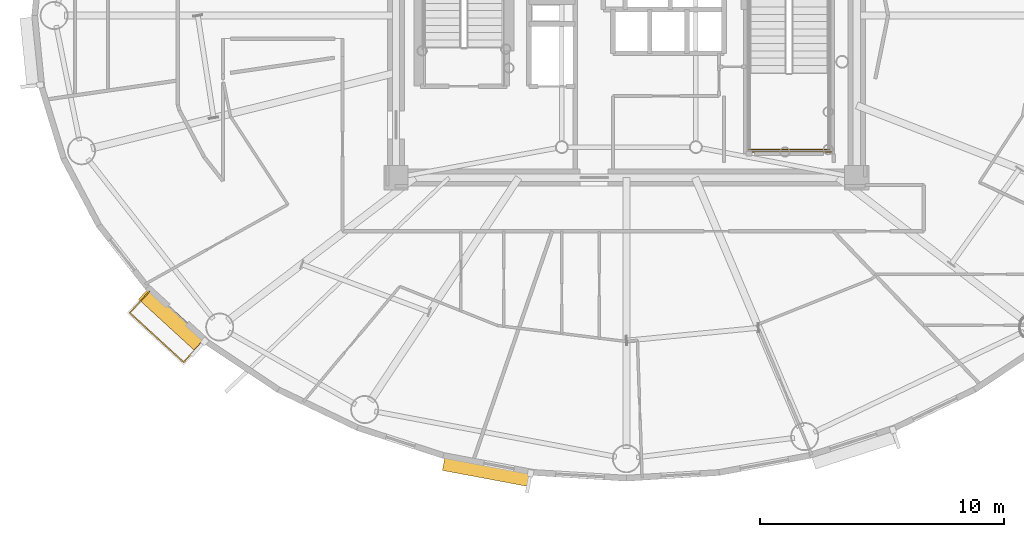
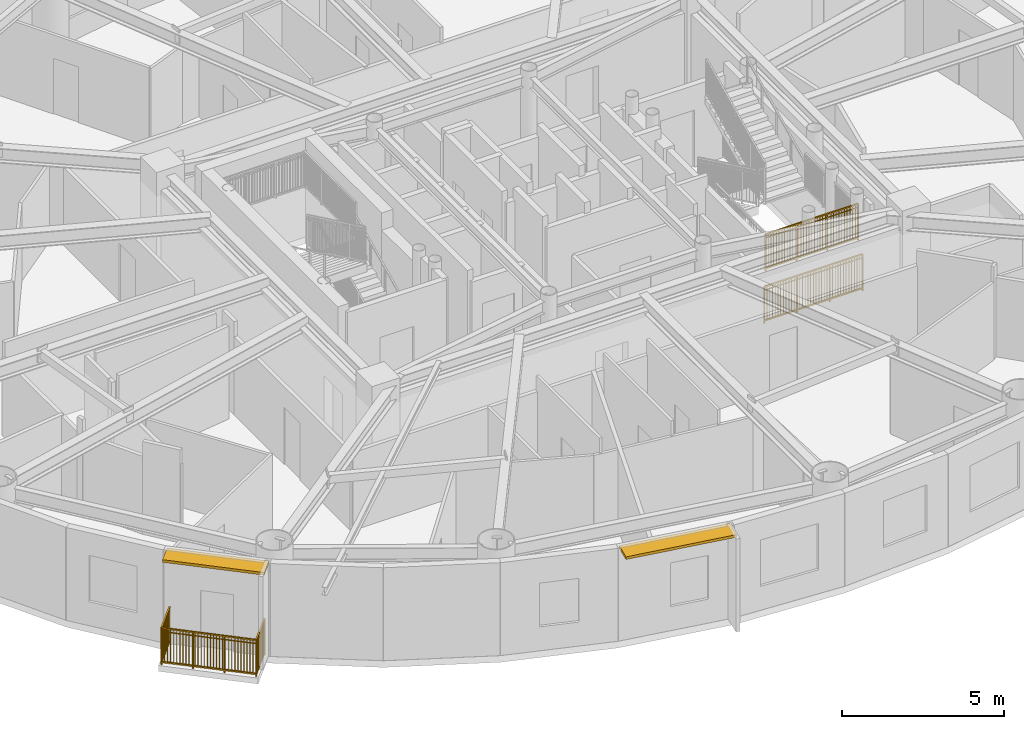
# One storey, part 14 of 20: 3 railings, 2 shading devices.
"""IFC4 building model written with IfcOpenShell, lengths in metres."""

from ifc_helpers import new_model, si_unit, direction, frame, origin, origin_2d, place, context, subcontext, project, spatial, rectangle, extrude, source, transform, mapped, material, layer, layer_set, type_object, element, save


model = new_model("IFC4")

# Units and contexts
model_context = context("Model", 3, precision=1e-05, world=origin(), true_north=direction((0.0, 1.0)))
body_context = subcontext(model_context, "Body", "Model", "MODEL_VIEW")
ifc_project = project(units=[si_unit("LENGTHUNIT", "METRE"), si_unit("AREAUNIT", "SQUARE_METRE"), si_unit("VOLUMEUNIT", "CUBIC_METRE"), si_unit("PLANEANGLEUNIT", "RADIAN"), si_unit("MASSUNIT", "GRAM", prefix="KILO")], contexts=[model_context])

# Site, building, storey
site_placement = place(None, origin())
site = spatial("IfcSite", under=ifc_project, at=site_placement, CompositionType="ELEMENT")
building_placement = place(site_placement, origin())
building = spatial("IfcBuilding", under=site, at=building_placement, Name="Linh Dai School and Residence Tower", CompositionType="ELEMENT")
storey_placement = place(building_placement, frame((0.0, 0.0, 232.800048828125)))
storey = spatial("IfcBuildingStorey", under=building, at=storey_placement, Name="L57", CompositionType="ELEMENT", Elevation=232.800048828125)

# Shading devices
ifc_material_1 = material(Name="Terracotta Ceramic Sunshade", Category="masonry")
ifc_layer = layer(ifc_material_1, 0.10009765625)
ifc_layer_set = layer_set([ifc_layer], Name="Terracotta Ceramic Sunshade")
shading_device_type = type_object("IfcShadingDeviceType", Name="SHD-TC-650", PredefinedType="USERDEFINED", material=ifc_layer_set)
shared_shape_1 = source(origin(), body_context, "Body", "SweptSolid", [
    extrude(rectangle(XDim=3.219482421875, YDim=0.64990234375, at=origin_2d()), origin(), (0.0, 0.0, 1.0), 0.10009765625),
])
shading_device_1_placement = place(storey_placement, frame((17.39501953125, 14.51220703125, 3.3798828125), z_axis=(0.0, 0.0, 1.0), x_axis=(-0.737125300096, 0.675756089102, 0.0)))
element("IfcShadingDevice", 1, at=shading_device_1_placement, inside=storey, type_object=shading_device_type, Name="L57 Terracotta Horizontal Sunshade Band 25", ObjectType="SUNSHADE", PredefinedType="USERDEFINED", context=body_context, shape_type="MappedRepresentation", body=[
    mapped(shared_shape_1, transform((0.0, 0.0, 0.0), x_axis=(1.0, 0.0, 0.0), y_axis=(0.0, 1.0, 0.0), z_axis=(0.0, 0.0, 1.0), scale=1.0)),
])
shared_shape_2 = source(origin(), body_context, "Body", "SweptSolid", [
    extrude(rectangle(XDim=3.62158203125, YDim=0.64990234375, at=origin_2d()), origin(), (0.0, 0.0, 1.0), 0.10009765625),
])
shading_device_2_placement = place(storey_placement, frame((30.2919921875, 8.32275390625, 3.3798828125), z_axis=(0.0, 0.0, 1.0), x_axis=(-0.982786586765, 0.18474448537, 0.0)))
element("IfcShadingDevice", 2, at=shading_device_2_placement, inside=storey, type_object=shading_device_type, Name="L57 Terracotta Horizontal Sunshade Band 29", ObjectType="SUNSHADE", PredefinedType="USERDEFINED", context=body_context, shape_type="MappedRepresentation", body=[
    mapped(shared_shape_2, transform((0.0, 0.0, 0.0), x_axis=(1.0, 0.0, 0.0), y_axis=(0.0, 1.0, 0.0), z_axis=(0.0, 0.0, 1.0), scale=1.0)),
])

# Railings
ifc_material_2 = material(Name="Structural Steel S355JR", Category="steel")
railing_type_1 = type_object("IfcRailingType", Name="RL-BAL-1400", PredefinedType="BALUSTRADE", material=ifc_material_2)
shared_shape_3 = source(origin(), body_context, "Body", "SweptSolid", [
    extrude(rectangle(XDim=0.048095703125, YDim=0.048095703125, at=origin_2d()), frame((0.0, 0.0, 1.3759765625), z_axis=(-0.675715259685, -0.737162728187, 0.0), x_axis=(0.737162728187, -0.675715259685, 0.0)), (0.0, 0.0, 1.0), 1.179931640625),
    extrude(rectangle(XDim=0.048095703125, YDim=0.048095703125, at=origin_2d()), frame((0.0, 0.0, 0.10009765625), z_axis=(-0.675715259685, -0.737162728187, 0.0), x_axis=(0.737162728187, -0.675715259685, 0.0)), (0.0, 0.0, 1.0), 1.179931640625),
    extrude(rectangle(XDim=0.030029296875, YDim=0.030029296875, at=origin_2d()), frame((0.0, 0.0, 1.239990234375), z_axis=(-0.675715259685, -0.737162728187, 0.0), x_axis=(0.737162728187, -0.675715259685, 0.0)), (0.0, 0.0, 1.0), 1.179931640625),
    extrude(rectangle(XDim=0.02001953125, YDim=0.02001953125, at=origin_2d()), frame((-0.061279296875, -0.06689453125, 0.10009765625)), (0.0, 0.0, 1.0), 1.251708984375),
    extrude(rectangle(XDim=0.02001953125, YDim=0.02001953125, at=origin_2d()), frame((-0.12255859375, -0.1337890625, 0.10009765625)), (0.0, 0.0, 1.0), 1.251708984375),
    extrude(rectangle(XDim=0.02001953125, YDim=0.02001953125, at=origin_2d()), frame((-0.18408203125, -0.20068359375, 0.10009765625)), (0.0, 0.0, 1.0), 1.251708984375),
    extrude(rectangle(XDim=0.02001953125, YDim=0.02001953125, at=origin_2d()), frame((-0.245361328125, -0.267578125, 0.10009765625)), (0.0, 0.0, 1.0), 1.251708984375),
    extrude(rectangle(XDim=0.02001953125, YDim=0.02001953125, at=origin_2d()), frame((-0.306640625, -0.33447265625, 0.10009765625)), (0.0, 0.0, 1.0), 1.251708984375),
    extrude(rectangle(XDim=0.02001953125, YDim=0.02001953125, at=origin_2d()), frame((-0.367919921875, -0.4013671875, 0.10009765625)), (0.0, 0.0, 1.0), 1.251708984375),
    extrude(rectangle(XDim=0.02001953125, YDim=0.02001953125, at=origin_2d()), frame((-0.429443359375, -0.468505859375, 0.10009765625)), (0.0, 0.0, 1.0), 1.251708984375),
    extrude(rectangle(XDim=0.02001953125, YDim=0.02001953125, at=origin_2d()), frame((-0.49072265625, -0.535400390625, 0.10009765625)), (0.0, 0.0, 1.0), 1.251708984375),
    extrude(rectangle(XDim=0.02001953125, YDim=0.02001953125, at=origin_2d()), frame((-0.552001953125, -0.602294921875, 0.10009765625)), (0.0, 0.0, 1.0), 1.251708984375),
    extrude(rectangle(XDim=0.02001953125, YDim=0.02001953125, at=origin_2d()), frame((-0.61328125, -0.669189453125, 0.10009765625)), (0.0, 0.0, 1.0), 1.251708984375),
    extrude(rectangle(XDim=0.02001953125, YDim=0.02001953125, at=origin_2d()), frame((-0.6748046875, -0.736083984375, 0.10009765625)), (0.0, 0.0, 1.0), 1.251708984375),
    extrude(rectangle(XDim=0.02001953125, YDim=0.02001953125, at=origin_2d()), frame((-0.736083984375, -0.802978515625, 0.10009765625)), (0.0, 0.0, 1.0), 1.251708984375),
    extrude(rectangle(XDim=0.048095703125, YDim=0.048095703125, at=origin_2d()), frame((-0.79736328125, -0.869873046875, 1.3759765625), z_axis=(-0.737143984648, 0.675735707135, 0.0), x_axis=(-0.675735707135, -0.737143984648, 0.0)), (0.0, 0.0, 1.0), 2.99365234375),
    extrude(rectangle(XDim=0.048095703125, YDim=0.048095703125, at=origin_2d()), frame((-0.79736328125, -0.869873046875, 0.10009765625), z_axis=(-0.737143984648, 0.675735707135, 0.0), x_axis=(-0.675735707135, -0.737143984648, 0.0)), (0.0, 0.0, 1.0), 2.99365234375),
    extrude(rectangle(XDim=0.030029296875, YDim=0.030029296875, at=origin_2d()), frame((-0.79736328125, -0.869873046875, 1.239990234375), z_axis=(-0.737143984648, 0.675735707135, 0.0), x_axis=(-0.675735707135, -0.737143984648, 0.0)), (0.0, 0.0, 1.0), 2.99365234375),
    extrude(rectangle(XDim=0.02001953125, YDim=0.02001953125, at=origin_2d()), frame((-0.86865234375, -0.8046875, 0.10009765625)), (0.0, 0.0, 1.0), 1.251708984375),
    extrude(rectangle(XDim=0.02001953125, YDim=0.02001953125, at=origin_2d()), frame((-0.939697265625, -0.7392578125, 0.10009765625)), (0.0, 0.0, 1.0), 1.251708984375),
    extrude(rectangle(XDim=0.02001953125, YDim=0.02001953125, at=origin_2d()), frame((-1.010986328125, -0.674072265625, 0.10009765625)), (0.0, 0.0, 1.0), 1.251708984375),
    extrude(rectangle(XDim=0.02001953125, YDim=0.02001953125, at=origin_2d()), frame((-1.08203125, -0.60888671875, 0.10009765625)), (0.0, 0.0, 1.0), 1.251708984375),
    extrude(rectangle(XDim=0.02001953125, YDim=0.02001953125, at=origin_2d()), frame((-1.1533203125, -0.543701171875, 0.10009765625)), (0.0, 0.0, 1.0), 1.251708984375),
    extrude(rectangle(XDim=0.02001953125, YDim=0.02001953125, at=origin_2d()), frame((-1.224365234375, -0.478271484375, 0.10009765625)), (0.0, 0.0, 1.0), 1.251708984375),
    extrude(rectangle(XDim=0.02001953125, YDim=0.02001953125, at=origin_2d()), frame((-1.295654296875, -0.4130859375, 0.10009765625)), (0.0, 0.0, 1.0), 1.251708984375),
    extrude(rectangle(XDim=0.02001953125, YDim=0.02001953125, at=origin_2d()), frame((-1.366943359375, -0.347900390625, 0.10009765625)), (0.0, 0.0, 1.0), 1.251708984375),
    extrude(rectangle(XDim=0.02001953125, YDim=0.02001953125, at=origin_2d()), frame((-1.43798828125, -0.282470703125, 0.10009765625)), (0.0, 0.0, 1.0), 1.251708984375),
    extrude(rectangle(XDim=0.02001953125, YDim=0.02001953125, at=origin_2d()), frame((-1.580322265625, -0.152099609375, 0.10009765625)), (0.0, 0.0, 1.0), 1.251708984375),
    extrude(rectangle(XDim=0.02001953125, YDim=0.02001953125, at=origin_2d()), frame((-1.651611328125, -0.0869140625, 0.10009765625)), (0.0, 0.0, 1.0), 1.251708984375),
    extrude(rectangle(XDim=0.02001953125, YDim=0.02001953125, at=origin_2d()), frame((-1.722900390625, -0.021484375, 0.10009765625)), (0.0, 0.0, 1.0), 1.251708984375),
    extrude(rectangle(XDim=0.02001953125, YDim=0.02001953125, at=origin_2d()), frame((-1.7939453125, 0.043701171875, 0.10009765625)), (0.0, 0.0, 1.0), 1.251708984375),
    extrude(rectangle(XDim=0.02001953125, YDim=0.02001953125, at=origin_2d()), frame((-1.865234375, 0.10888671875, 0.10009765625)), (0.0, 0.0, 1.0), 1.251708984375),
    extrude(rectangle(XDim=0.02001953125, YDim=0.02001953125, at=origin_2d()), frame((-1.936279296875, 0.17431640625, 0.10009765625)), (0.0, 0.0, 1.0), 1.251708984375),
    extrude(rectangle(XDim=0.02001953125, YDim=0.02001953125, at=origin_2d()), frame((-2.007568359375, 0.239501953125, 0.10009765625)), (0.0, 0.0, 1.0), 1.251708984375),
    extrude(rectangle(XDim=0.02001953125, YDim=0.02001953125, at=origin_2d()), frame((-2.07861328125, 0.3046875, 0.10009765625)), (0.0, 0.0, 1.0), 1.251708984375),
    extrude(rectangle(XDim=0.02001953125, YDim=0.02001953125, at=origin_2d()), frame((-2.14990234375, 0.3701171875, 0.10009765625)), (0.0, 0.0, 1.0), 1.251708984375),
    extrude(rectangle(XDim=0.02001953125, YDim=0.02001953125, at=origin_2d()), frame((-2.22119140625, 0.435302734375, 0.10009765625)), (0.0, 0.0, 1.0), 1.251708984375),
    extrude(rectangle(XDim=0.02001953125, YDim=0.02001953125, at=origin_2d()), frame((-2.363525390625, 0.565673828125, 0.10009765625)), (0.0, 0.0, 1.0), 1.251708984375),
    extrude(rectangle(XDim=0.02001953125, YDim=0.02001953125, at=origin_2d()), frame((-2.4345703125, 0.631103515625, 0.10009765625)), (0.0, 0.0, 1.0), 1.251708984375),
    extrude(rectangle(XDim=0.02001953125, YDim=0.02001953125, at=origin_2d()), frame((-2.505859375, 0.6962890625, 0.10009765625)), (0.0, 0.0, 1.0), 1.251708984375),
    extrude(rectangle(XDim=0.02001953125, YDim=0.02001953125, at=origin_2d()), frame((-2.5771484375, 0.761474609375, 0.10009765625)), (0.0, 0.0, 1.0), 1.251708984375),
    extrude(rectangle(XDim=0.02001953125, YDim=0.02001953125, at=origin_2d()), frame((-2.648193359375, 0.826904296875, 0.10009765625)), (0.0, 0.0, 1.0), 1.251708984375),
    extrude(rectangle(XDim=0.02001953125, YDim=0.02001953125, at=origin_2d()), frame((-2.719482421875, 0.89208984375, 0.10009765625)), (0.0, 0.0, 1.0), 1.251708984375),
    extrude(rectangle(XDim=0.02001953125, YDim=0.02001953125, at=origin_2d()), frame((-2.79052734375, 0.957275390625, 0.10009765625)), (0.0, 0.0, 1.0), 1.251708984375),
    extrude(rectangle(XDim=0.02001953125, YDim=0.02001953125, at=origin_2d()), frame((-2.86181640625, 1.0224609375, 0.10009765625)), (0.0, 0.0, 1.0), 1.251708984375),
    extrude(rectangle(XDim=0.02001953125, YDim=0.02001953125, at=origin_2d()), frame((-2.932861328125, 1.087890625, 0.10009765625)), (0.0, 0.0, 1.0), 1.251708984375),
    extrude(rectangle(XDim=0.048095703125, YDim=0.048095703125, at=origin_2d()), frame((-3.004150390625, 1.153076171875, 1.3759765625), z_axis=(0.675715259685, 0.737162728187, 0.0), x_axis=(-0.737162728187, 0.675715259685, 0.0)), (0.0, 0.0, 1.0), 1.179931640625),
    extrude(rectangle(XDim=0.048095703125, YDim=0.048095703125, at=origin_2d()), frame((-3.004150390625, 1.153076171875, 0.10009765625), z_axis=(0.675715259685, 0.737162728187, 0.0), x_axis=(-0.737162728187, 0.675715259685, 0.0)), (0.0, 0.0, 1.0), 1.179931640625),
    extrude(rectangle(XDim=0.030029296875, YDim=0.030029296875, at=origin_2d()), frame((-3.004150390625, 1.153076171875, 1.239990234375), z_axis=(0.675715259685, 0.737162728187, 0.0), x_axis=(-0.737162728187, 0.675715259685, 0.0)), (0.0, 0.0, 1.0), 1.179931640625),
    extrude(rectangle(XDim=0.02001953125, YDim=0.02001953125, at=origin_2d()), frame((-2.94287109375, 1.219970703125, 0.10009765625)), (0.0, 0.0, 1.0), 1.251708984375),
    extrude(rectangle(XDim=0.02001953125, YDim=0.02001953125, at=origin_2d()), frame((-2.881591796875, 1.286865234375, 0.10009765625)), (0.0, 0.0, 1.0), 1.251708984375),
    extrude(rectangle(XDim=0.02001953125, YDim=0.02001953125, at=origin_2d()), frame((-2.820068359375, 1.353759765625, 0.10009765625)), (0.0, 0.0, 1.0), 1.251708984375),
    extrude(rectangle(XDim=0.02001953125, YDim=0.02001953125, at=origin_2d()), frame((-2.7587890625, 1.420654296875, 0.10009765625)), (0.0, 0.0, 1.0), 1.251708984375),
    extrude(rectangle(XDim=0.02001953125, YDim=0.02001953125, at=origin_2d()), frame((-2.697509765625, 1.487548828125, 0.10009765625)), (0.0, 0.0, 1.0), 1.251708984375),
    extrude(rectangle(XDim=0.02001953125, YDim=0.02001953125, at=origin_2d()), frame((-2.63623046875, 1.554443359375, 0.10009765625)), (0.0, 0.0, 1.0), 1.251708984375),
    extrude(rectangle(XDim=0.02001953125, YDim=0.02001953125, at=origin_2d()), frame((-2.57470703125, 1.62158203125, 0.10009765625)), (0.0, 0.0, 1.0), 1.251708984375),
    extrude(rectangle(XDim=0.02001953125, YDim=0.02001953125, at=origin_2d()), frame((-2.513427734375, 1.6884765625, 0.10009765625)), (0.0, 0.0, 1.0), 1.251708984375),
    extrude(rectangle(XDim=0.02001953125, YDim=0.02001953125, at=origin_2d()), frame((-2.4521484375, 1.75537109375, 0.10009765625)), (0.0, 0.0, 1.0), 1.251708984375),
    extrude(rectangle(XDim=0.02001953125, YDim=0.02001953125, at=origin_2d()), frame((-2.390869140625, 1.822265625, 0.10009765625)), (0.0, 0.0, 1.0), 1.251708984375),
    extrude(rectangle(XDim=0.02001953125, YDim=0.02001953125, at=origin_2d()), frame((-2.329345703125, 1.88916015625, 0.10009765625)), (0.0, 0.0, 1.0), 1.251708984375),
    extrude(rectangle(XDim=0.02001953125, YDim=0.02001953125, at=origin_2d()), frame((-2.26806640625, 1.9560546875, 0.10009765625)), (0.0, 0.0, 1.0), 1.251708984375),
    extrude(rectangle(XDim=0.0419921875, YDim=0.0419921875, at=origin_2d()), origin(), (0.0, 0.0, 1.0), 1.3759765625),
    extrude(rectangle(XDim=0.0419921875, YDim=0.0419921875, at=origin_2d()), frame((-0.79736328125, -0.869873046875, 0.0)), (0.0, 0.0, 1.0), 1.3759765625),
    extrude(rectangle(XDim=0.0419921875, YDim=0.0419921875, at=origin_2d()), frame((-1.532958984375, -0.195556640625, 0.0)), (0.0, 0.0, 1.0), 1.3759765625),
    extrude(rectangle(XDim=0.0419921875, YDim=0.0419921875, at=origin_2d()), frame((-2.2685546875, 0.478759765625, 0.0)), (0.0, 0.0, 1.0), 1.3759765625),
    extrude(rectangle(XDim=0.0419921875, YDim=0.0419921875, at=origin_2d()), frame((-3.004150390625, 1.153076171875, 0.0)), (0.0, 0.0, 1.0), 1.3759765625),
    extrude(rectangle(XDim=0.0419921875, YDim=0.0419921875, at=origin_2d()), frame((-2.206787109375, 2.02294921875, 0.0)), (0.0, 0.0, 1.0), 1.3759765625),
])
railing_1_placement = place(storey_placement, frame((18.633544921875, 13.648193359375, 0.0)))
element("IfcRailing", 3, at=railing_1_placement, inside=storey, type_object=railing_type_1, Name="L57 Balcony Safety Balustrade 25", PredefinedType="BALUSTRADE", context=body_context, shape_type="MappedRepresentation", body=[
    mapped(shared_shape_3, transform((0.0, 0.0, 0.0), x_axis=(1.0, 0.0, 0.0), y_axis=(0.0, 1.0, 0.0), z_axis=(0.0, 0.0, 1.0), scale=1.0)),
])
railing_type_2 = type_object("IfcRailingType", Name="RL-ST-GUARD-1400", PredefinedType="GUARDRAIL", material=ifc_material_2)
shared_shape_4 = source(origin(), body_context, "Body", "SweptSolid", [
    extrude(rectangle(XDim=0.048095703125, YDim=0.048095703125, at=origin_2d()), frame((0.0, 0.0, 1.3759765625), z_axis=(1.0, 0.0, 0.0), x_axis=(0.0, 1.0, 0.0)), (0.0, 0.0, 1.0), 3.300048828125),
    extrude(rectangle(XDim=0.048095703125, YDim=0.048095703125, at=origin_2d()), frame((0.0, 0.0, 0.10009765625), z_axis=(1.0, 0.0, 0.0), x_axis=(0.0, 1.0, 0.0)), (0.0, 0.0, 1.0), 3.300048828125),
    extrude(rectangle(XDim=0.030029296875, YDim=0.030029296875, at=origin_2d()), frame((0.0, 0.0, 1.239990234375), z_axis=(1.0, 0.0, 0.0), x_axis=(0.0, 1.0, 0.0)), (0.0, 0.0, 1.0), 3.300048828125),
    extrude(rectangle(XDim=0.02001953125, YDim=0.02001953125, at=origin_2d()), frame((0.09716796875, 0.0, 0.10009765625)), (0.0, 0.0, 1.0), 1.251708984375),
    extrude(rectangle(XDim=0.02001953125, YDim=0.02001953125, at=origin_2d()), frame((0.194091796875, 0.0, 0.10009765625)), (0.0, 0.0, 1.0), 1.251708984375),
    extrude(rectangle(XDim=0.02001953125, YDim=0.02001953125, at=origin_2d()), frame((0.291259765625, 0.0, 0.10009765625)), (0.0, 0.0, 1.0), 1.251708984375),
    extrude(rectangle(XDim=0.02001953125, YDim=0.02001953125, at=origin_2d()), frame((0.38818359375, 0.0, 0.10009765625)), (0.0, 0.0, 1.0), 1.251708984375),
    extrude(rectangle(XDim=0.02001953125, YDim=0.02001953125, at=origin_2d()), frame((0.4853515625, 0.0, 0.10009765625)), (0.0, 0.0, 1.0), 1.251708984375),
    extrude(rectangle(XDim=0.02001953125, YDim=0.02001953125, at=origin_2d()), frame((0.582275390625, 0.0, 0.10009765625)), (0.0, 0.0, 1.0), 1.251708984375),
    extrude(rectangle(XDim=0.02001953125, YDim=0.02001953125, at=origin_2d()), frame((0.679443359375, 0.0, 0.10009765625)), (0.0, 0.0, 1.0), 1.251708984375),
    extrude(rectangle(XDim=0.02001953125, YDim=0.02001953125, at=origin_2d()), frame((0.7763671875, 0.0, 0.10009765625)), (0.0, 0.0, 1.0), 1.251708984375),
    extrude(rectangle(XDim=0.02001953125, YDim=0.02001953125, at=origin_2d()), frame((0.87353515625, 0.0, 0.10009765625)), (0.0, 0.0, 1.0), 1.251708984375),
    extrude(rectangle(XDim=0.02001953125, YDim=0.02001953125, at=origin_2d()), frame((0.970703125, 0.0, 0.10009765625)), (0.0, 0.0, 1.0), 1.251708984375),
    extrude(rectangle(XDim=0.02001953125, YDim=0.02001953125, at=origin_2d()), frame((1.164794921875, 0.0, 0.10009765625)), (0.0, 0.0, 1.0), 1.251708984375),
    extrude(rectangle(XDim=0.02001953125, YDim=0.02001953125, at=origin_2d()), frame((1.26171875, 0.0, 0.10009765625)), (0.0, 0.0, 1.0), 1.251708984375),
    extrude(rectangle(XDim=0.02001953125, YDim=0.02001953125, at=origin_2d()), frame((1.35888671875, 0.0, 0.10009765625)), (0.0, 0.0, 1.0), 1.251708984375),
    extrude(rectangle(XDim=0.02001953125, YDim=0.02001953125, at=origin_2d()), frame((1.455810546875, 0.0, 0.10009765625)), (0.0, 0.0, 1.0), 1.251708984375),
    extrude(rectangle(XDim=0.02001953125, YDim=0.02001953125, at=origin_2d()), frame((1.552978515625, 0.0, 0.10009765625)), (0.0, 0.0, 1.0), 1.251708984375),
    extrude(rectangle(XDim=0.02001953125, YDim=0.02001953125, at=origin_2d()), frame((1.64990234375, 0.0, 0.10009765625)), (0.0, 0.0, 1.0), 1.251708984375),
    extrude(rectangle(XDim=0.02001953125, YDim=0.02001953125, at=origin_2d()), frame((1.7470703125, 0.0, 0.10009765625)), (0.0, 0.0, 1.0), 1.251708984375),
    extrude(rectangle(XDim=0.02001953125, YDim=0.02001953125, at=origin_2d()), frame((1.84423828125, 0.0, 0.10009765625)), (0.0, 0.0, 1.0), 1.251708984375),
    extrude(rectangle(XDim=0.02001953125, YDim=0.02001953125, at=origin_2d()), frame((1.941162109375, 0.0, 0.10009765625)), (0.0, 0.0, 1.0), 1.251708984375),
    extrude(rectangle(XDim=0.02001953125, YDim=0.02001953125, at=origin_2d()), frame((2.038330078125, 0.0, 0.10009765625)), (0.0, 0.0, 1.0), 1.251708984375),
    extrude(rectangle(XDim=0.02001953125, YDim=0.02001953125, at=origin_2d()), frame((2.13525390625, 0.0, 0.10009765625)), (0.0, 0.0, 1.0), 1.251708984375),
    extrude(rectangle(XDim=0.02001953125, YDim=0.02001953125, at=origin_2d()), frame((2.329345703125, 0.0, 0.10009765625)), (0.0, 0.0, 1.0), 1.251708984375),
    extrude(rectangle(XDim=0.02001953125, YDim=0.02001953125, at=origin_2d()), frame((2.426513671875, 0.0, 0.10009765625)), (0.0, 0.0, 1.0), 1.251708984375),
    extrude(rectangle(XDim=0.02001953125, YDim=0.02001953125, at=origin_2d()), frame((2.523681640625, 0.0, 0.10009765625)), (0.0, 0.0, 1.0), 1.251708984375),
    extrude(rectangle(XDim=0.02001953125, YDim=0.02001953125, at=origin_2d()), frame((2.62060546875, 0.0, 0.10009765625)), (0.0, 0.0, 1.0), 1.251708984375),
    extrude(rectangle(XDim=0.02001953125, YDim=0.02001953125, at=origin_2d()), frame((2.7177734375, 0.0, 0.10009765625)), (0.0, 0.0, 1.0), 1.251708984375),
    extrude(rectangle(XDim=0.02001953125, YDim=0.02001953125, at=origin_2d()), frame((2.814697265625, 0.0, 0.10009765625)), (0.0, 0.0, 1.0), 1.251708984375),
    extrude(rectangle(XDim=0.02001953125, YDim=0.02001953125, at=origin_2d()), frame((2.911865234375, 0.0, 0.10009765625)), (0.0, 0.0, 1.0), 1.251708984375),
    extrude(rectangle(XDim=0.02001953125, YDim=0.02001953125, at=origin_2d()), frame((3.0087890625, 0.0, 0.10009765625)), (0.0, 0.0, 1.0), 1.251708984375),
    extrude(rectangle(XDim=0.02001953125, YDim=0.02001953125, at=origin_2d()), frame((3.10595703125, 0.0, 0.10009765625)), (0.0, 0.0, 1.0), 1.251708984375),
    extrude(rectangle(XDim=0.02001953125, YDim=0.02001953125, at=origin_2d()), frame((3.202880859375, 0.0, 0.10009765625)), (0.0, 0.0, 1.0), 1.251708984375),
    extrude(rectangle(XDim=0.0419921875, YDim=0.0419921875, at=origin_2d()), origin(), (0.0, 0.0, 1.0), 1.3759765625),
    extrude(rectangle(XDim=0.0419921875, YDim=0.0419921875, at=origin_2d()), frame((1.10009765625, 0.0, 0.0)), (0.0, 0.0, 1.0), 1.3759765625),
    extrude(rectangle(XDim=0.0419921875, YDim=0.0419921875, at=origin_2d()), frame((2.199951171875, 0.0, 0.0)), (0.0, 0.0, 1.0), 1.3759765625),
    extrude(rectangle(XDim=0.0419921875, YDim=0.0419921875, at=origin_2d()), frame((3.300048828125, 0.0, 0.0)), (0.0, 0.0, 1.0), 1.3759765625),
])
railing_2_placement = place(storey_placement, frame((41.02001953125, 21.5, 1.875)))
element("IfcRailing", 4, at=railing_2_placement, inside=storey, type_object=railing_type_2, Name="L57 ST2 stair guard 5", PredefinedType="GUARDRAIL", context=body_context, shape_type="MappedRepresentation", body=[
    mapped(shared_shape_4, transform((0.0, 0.0, 0.0), x_axis=(1.0, 0.0, 0.0), y_axis=(0.0, 1.0, 0.0), z_axis=(0.0, 0.0, 1.0), scale=1.0)),
])
shared_shape_5 = source(origin(), body_context, "Body", "SweptSolid", [
    extrude(rectangle(XDim=0.048095703125, YDim=0.048095703125, at=origin_2d()), frame((0.0, 0.0, 1.3759765625), z_axis=(1.0, 0.0, 0.0), x_axis=(0.0, 1.0, 0.0)), (0.0, 0.0, 1.0), 3.5),
    extrude(rectangle(XDim=0.048095703125, YDim=0.048095703125, at=origin_2d()), frame((0.0, 0.0, 0.10009765625), z_axis=(1.0, 0.0, 0.0), x_axis=(0.0, 1.0, 0.0)), (0.0, 0.0, 1.0), 3.5),
    extrude(rectangle(XDim=0.030029296875, YDim=0.030029296875, at=origin_2d()), frame((0.0, 0.0, 1.239990234375), z_axis=(1.0, 0.0, 0.0), x_axis=(0.0, 1.0, 0.0)), (0.0, 0.0, 1.0), 3.5),
    extrude(rectangle(XDim=0.02001953125, YDim=0.02001953125, at=origin_2d()), frame((0.09716796875, 0.0, 0.10009765625)), (0.0, 0.0, 1.0), 1.251708984375),
    extrude(rectangle(XDim=0.02001953125, YDim=0.02001953125, at=origin_2d()), frame((0.1943359375, 0.0, 0.10009765625)), (0.0, 0.0, 1.0), 1.251708984375),
    extrude(rectangle(XDim=0.02001953125, YDim=0.02001953125, at=origin_2d()), frame((0.291748046875, 0.0, 0.10009765625)), (0.0, 0.0, 1.0), 1.251708984375),
    extrude(rectangle(XDim=0.02001953125, YDim=0.02001953125, at=origin_2d()), frame((0.388916015625, 0.0, 0.10009765625)), (0.0, 0.0, 1.0), 1.251708984375),
    extrude(rectangle(XDim=0.02001953125, YDim=0.02001953125, at=origin_2d()), frame((0.486083984375, 0.0, 0.10009765625)), (0.0, 0.0, 1.0), 1.251708984375),
    extrude(rectangle(XDim=0.02001953125, YDim=0.02001953125, at=origin_2d()), frame((0.583251953125, 0.0, 0.10009765625)), (0.0, 0.0, 1.0), 1.251708984375),
    extrude(rectangle(XDim=0.02001953125, YDim=0.02001953125, at=origin_2d()), frame((0.6806640625, 0.0, 0.10009765625)), (0.0, 0.0, 1.0), 1.251708984375),
    extrude(rectangle(XDim=0.02001953125, YDim=0.02001953125, at=origin_2d()), frame((0.77783203125, 0.0, 0.10009765625)), (0.0, 0.0, 1.0), 1.251708984375),
    extrude(rectangle(XDim=0.02001953125, YDim=0.02001953125, at=origin_2d()), frame((0.875, 0.0, 0.10009765625)), (0.0, 0.0, 1.0), 1.251708984375),
    extrude(rectangle(XDim=0.02001953125, YDim=0.02001953125, at=origin_2d()), frame((0.97216796875, 0.0, 0.10009765625)), (0.0, 0.0, 1.0), 1.251708984375),
    extrude(rectangle(XDim=0.02001953125, YDim=0.02001953125, at=origin_2d()), frame((1.0693359375, 0.0, 0.10009765625)), (0.0, 0.0, 1.0), 1.251708984375),
    extrude(rectangle(XDim=0.02001953125, YDim=0.02001953125, at=origin_2d()), frame((1.263916015625, 0.0, 0.10009765625)), (0.0, 0.0, 1.0), 1.251708984375),
    extrude(rectangle(XDim=0.02001953125, YDim=0.02001953125, at=origin_2d()), frame((1.361083984375, 0.0, 0.10009765625)), (0.0, 0.0, 1.0), 1.251708984375),
    extrude(rectangle(XDim=0.02001953125, YDim=0.02001953125, at=origin_2d()), frame((1.458251953125, 0.0, 0.10009765625)), (0.0, 0.0, 1.0), 1.251708984375),
    extrude(rectangle(XDim=0.02001953125, YDim=0.02001953125, at=origin_2d()), frame((1.5556640625, 0.0, 0.10009765625)), (0.0, 0.0, 1.0), 1.251708984375),
    extrude(rectangle(XDim=0.02001953125, YDim=0.02001953125, at=origin_2d()), frame((1.65283203125, 0.0, 0.10009765625)), (0.0, 0.0, 1.0), 1.251708984375),
    extrude(rectangle(XDim=0.02001953125, YDim=0.02001953125, at=origin_2d()), frame((1.75, 0.0, 0.10009765625)), (0.0, 0.0, 1.0), 1.251708984375),
    extrude(rectangle(XDim=0.02001953125, YDim=0.02001953125, at=origin_2d()), frame((1.84716796875, 0.0, 0.10009765625)), (0.0, 0.0, 1.0), 1.251708984375),
    extrude(rectangle(XDim=0.02001953125, YDim=0.02001953125, at=origin_2d()), frame((1.9443359375, 0.0, 0.10009765625)), (0.0, 0.0, 1.0), 1.251708984375),
    extrude(rectangle(XDim=0.02001953125, YDim=0.02001953125, at=origin_2d()), frame((2.041748046875, 0.0, 0.10009765625)), (0.0, 0.0, 1.0), 1.251708984375),
    extrude(rectangle(XDim=0.02001953125, YDim=0.02001953125, at=origin_2d()), frame((2.138916015625, 0.0, 0.10009765625)), (0.0, 0.0, 1.0), 1.251708984375),
    extrude(rectangle(XDim=0.02001953125, YDim=0.02001953125, at=origin_2d()), frame((2.236083984375, 0.0, 0.10009765625)), (0.0, 0.0, 1.0), 1.251708984375),
    extrude(rectangle(XDim=0.02001953125, YDim=0.02001953125, at=origin_2d()), frame((2.4306640625, 0.0, 0.10009765625)), (0.0, 0.0, 1.0), 1.251708984375),
    extrude(rectangle(XDim=0.02001953125, YDim=0.02001953125, at=origin_2d()), frame((2.52783203125, 0.0, 0.10009765625)), (0.0, 0.0, 1.0), 1.251708984375),
    extrude(rectangle(XDim=0.02001953125, YDim=0.02001953125, at=origin_2d()), frame((2.625, 0.0, 0.10009765625)), (0.0, 0.0, 1.0), 1.251708984375),
    extrude(rectangle(XDim=0.02001953125, YDim=0.02001953125, at=origin_2d()), frame((2.72216796875, 0.0, 0.10009765625)), (0.0, 0.0, 1.0), 1.251708984375),
    extrude(rectangle(XDim=0.02001953125, YDim=0.02001953125, at=origin_2d()), frame((2.8193359375, 0.0, 0.10009765625)), (0.0, 0.0, 1.0), 1.251708984375),
    extrude(rectangle(XDim=0.02001953125, YDim=0.02001953125, at=origin_2d()), frame((2.916748046875, 0.0, 0.10009765625)), (0.0, 0.0, 1.0), 1.251708984375),
    extrude(rectangle(XDim=0.02001953125, YDim=0.02001953125, at=origin_2d()), frame((3.013916015625, 0.0, 0.10009765625)), (0.0, 0.0, 1.0), 1.251708984375),
    extrude(rectangle(XDim=0.02001953125, YDim=0.02001953125, at=origin_2d()), frame((3.111083984375, 0.0, 0.10009765625)), (0.0, 0.0, 1.0), 1.251708984375),
    extrude(rectangle(XDim=0.02001953125, YDim=0.02001953125, at=origin_2d()), frame((3.208251953125, 0.0, 0.10009765625)), (0.0, 0.0, 1.0), 1.251708984375),
    extrude(rectangle(XDim=0.02001953125, YDim=0.02001953125, at=origin_2d()), frame((3.3056640625, 0.0, 0.10009765625)), (0.0, 0.0, 1.0), 1.251708984375),
    extrude(rectangle(XDim=0.02001953125, YDim=0.02001953125, at=origin_2d()), frame((3.40283203125, 0.0, 0.10009765625)), (0.0, 0.0, 1.0), 1.251708984375),
    extrude(rectangle(XDim=0.0419921875, YDim=0.0419921875, at=origin_2d()), origin(), (0.0, 0.0, 1.0), 1.3759765625),
    extrude(rectangle(XDim=0.0419921875, YDim=0.0419921875, at=origin_2d()), frame((1.166748046875, 0.0, 0.0)), (0.0, 0.0, 1.0), 1.3759765625),
    extrude(rectangle(XDim=0.0419921875, YDim=0.0419921875, at=origin_2d()), frame((2.333251953125, 0.0, 0.0)), (0.0, 0.0, 1.0), 1.3759765625),
    extrude(rectangle(XDim=0.0419921875, YDim=0.0419921875, at=origin_2d()), frame((3.5, 0.0, 0.0)), (0.0, 0.0, 1.0), 1.3759765625),
])
railing_3_placement = place(storey_placement, frame((40.919921875, 21.39990234375, 0.0)))
element("IfcRailing", 5, at=railing_3_placement, inside=storey, type_object=railing_type_2, Name="L57 ST2 stair guard 12", PredefinedType="GUARDRAIL", context=body_context, shape_type="MappedRepresentation", body=[
    mapped(shared_shape_5, transform((0.0, 0.0, 0.0), x_axis=(1.0, 0.0, 0.0), y_axis=(0.0, 1.0, 0.0), z_axis=(0.0, 0.0, 1.0), scale=1.0)),
])

save(model, "model.ifc")
